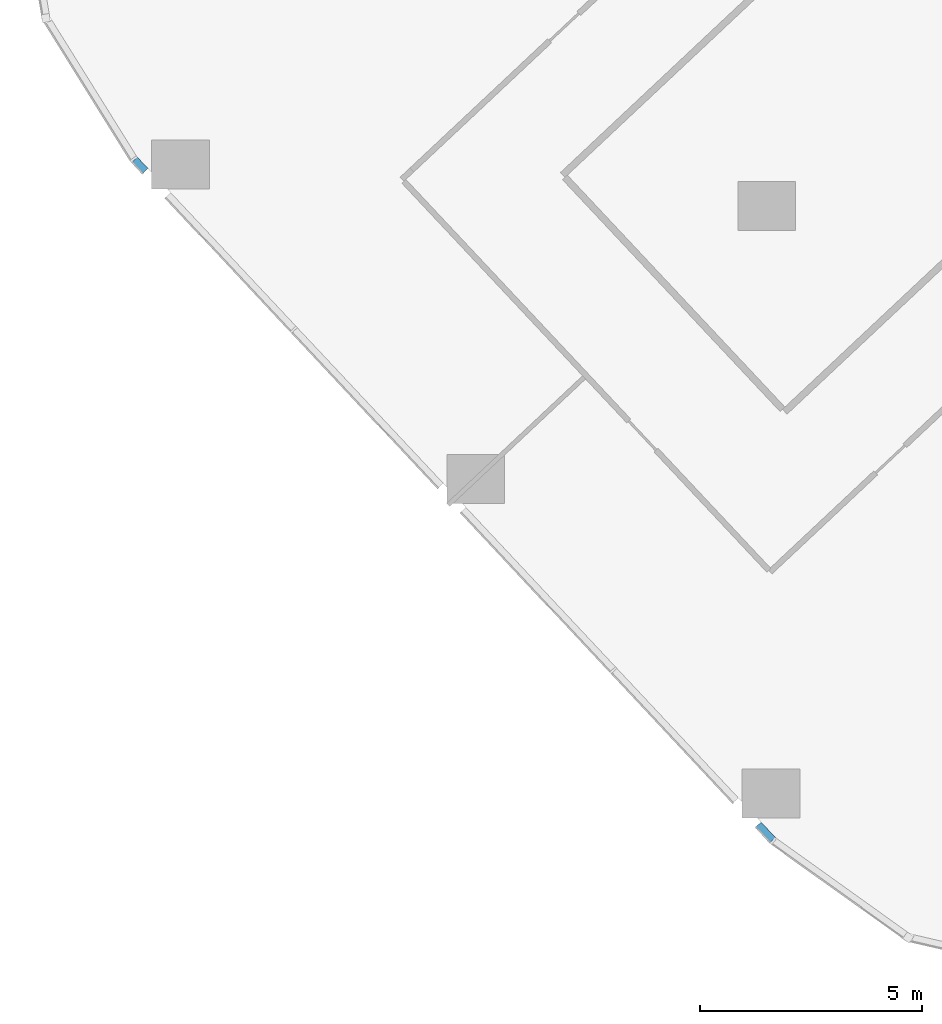
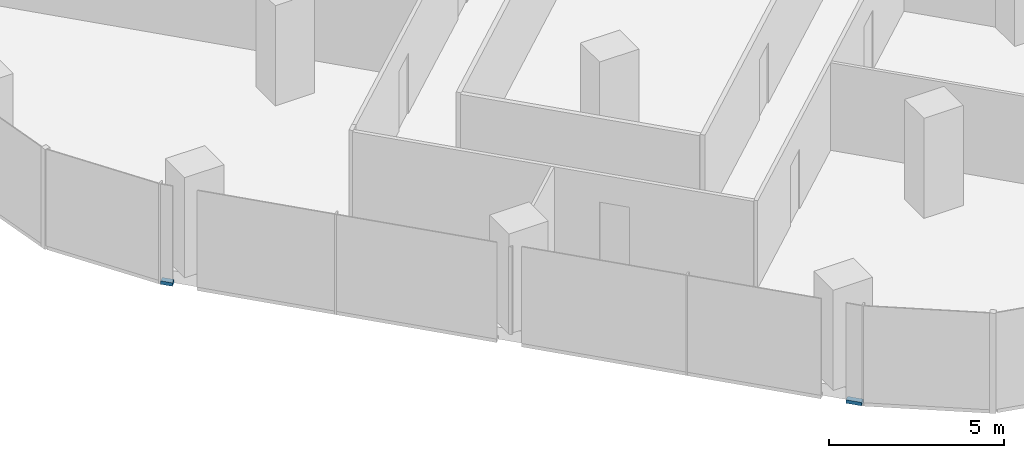
# One storey, part 15 of 34: 2 members, 1 element without a shape of its own.
"""IFC4 building model written with IfcOpenShell, lengths in metres."""

from ifc_helpers import new_model, si_unit, direction, frame, origin, origin_2d, place, context, subcontext, project, spatial, rectangle, extrude, material, material_profile, profile_set, type_object, element, aggregate, save


model = new_model("IFC4")

# Units and contexts
model_context = context("Model", 3, precision=1e-05, world=origin(), true_north=direction((0.0, 1.0)))
body_context = subcontext(model_context, "Body", "Model", "MODEL_VIEW")
ifc_project = project(units=[si_unit("LENGTHUNIT", "METRE"), si_unit("AREAUNIT", "SQUARE_METRE"), si_unit("VOLUMEUNIT", "CUBIC_METRE"), si_unit("PLANEANGLEUNIT", "RADIAN"), si_unit("MASSUNIT", "GRAM", prefix="KILO")], contexts=[model_context])

# Site, building, storey
site_placement = place(None, origin())
site = spatial("IfcSite", under=ifc_project, at=site_placement, CompositionType="ELEMENT")
building_placement = place(site_placement, origin())
building = spatial("IfcBuilding", under=site, at=building_placement, Name="Orlundy Tower", CompositionType="ELEMENT")
storey_placement = place(building_placement, frame((0.0, 0.0, 44.300048828125)))
storey = spatial("IfcBuildingStorey", under=building, at=storey_placement, Name="L09", CompositionType="ELEMENT", Elevation=44.300048828125)

# Curtain wall, members
ifc_material_1 = material(Name="Aluminium bronze anodised", Category="aluminium")
curtain_wall_type = type_object("IfcCurtainWallType", Name="CW1 wall", PredefinedType="NOTDEFINED", material=ifc_material_1)
curtain_wall_placement = place(storey_placement, origin())
curtain_wall = element("IfcCurtainWall", 1, at=curtain_wall_placement, inside=storey, type_object=curtain_wall_type, Name="CW1 run 023", PredefinedType="NOTDEFINED")
ifc_material_2 = material(Name="Aluminium bronze anodised", Category="aluminium")
ifc_material_profile = material_profile(ifc_material_2, rectangle(XDim=0.179931640625, YDim=0.1201171875, at=origin_2d()), Name="CW1 transom 180x120")
ifc_profile_set = profile_set([ifc_material_profile], Name="Aluminium bronze anodised")
member_type = type_object("IfcMemberType", Name="CW1 transom 180x120", PredefinedType="USERDEFINED", material=ifc_profile_set)
member_1_placement = place(storey_placement, frame((-37.019775390625, -49.09765625, -0.360107421875), z_axis=(-0.683941128881, 0.72953720414, 0.0), x_axis=(-0.72953720414, -0.683941128881, 0.0)))
member_1 = element("IfcMember", 2, at=member_1_placement, type_object=member_type, Name="CW1 transom", ObjectType="TRANSOM", PredefinedType="USERDEFINED", context=body_context, shape_type="SweptSolid", body=[
    extrude(rectangle(XDim=0.179931640625, YDim=0.1201171875, at=origin_2d()), origin(), (0.0, 0.0, 1.0), 0.47119140625),
])
member_2_placement = place(storey_placement, frame((-51.125, -34.059814453125, -0.360107421875), z_axis=(-0.684080292396, 0.729406713401, 0.0), x_axis=(-0.729406713401, -0.684080292396, 0.0)))
member_2 = element("IfcMember", 3, at=member_2_placement, type_object=member_type, Name="CW1 transom", ObjectType="TRANSOM", PredefinedType="USERDEFINED", context=body_context, shape_type="SweptSolid", body=[
    extrude(rectangle(XDim=0.179931640625, YDim=0.1201171875, at=origin_2d()), origin(), (0.0, 0.0, 1.0), 0.35009765625),
])
aggregate(curtain_wall, [member_1, member_2])

save(model, "model.ifc")
